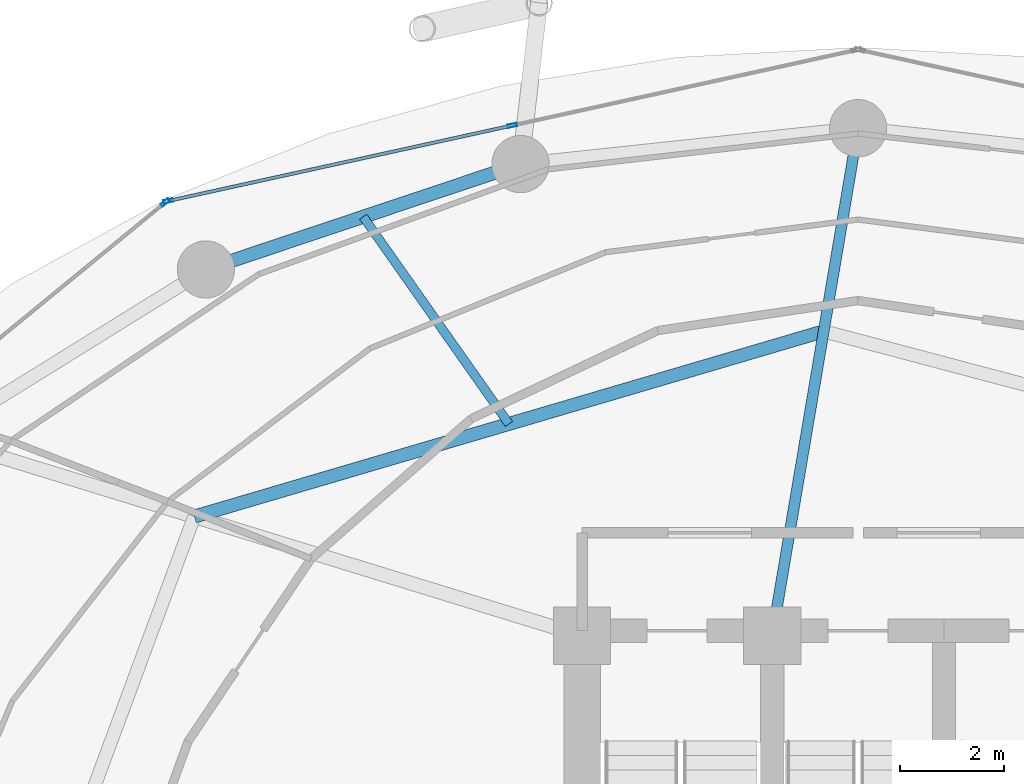
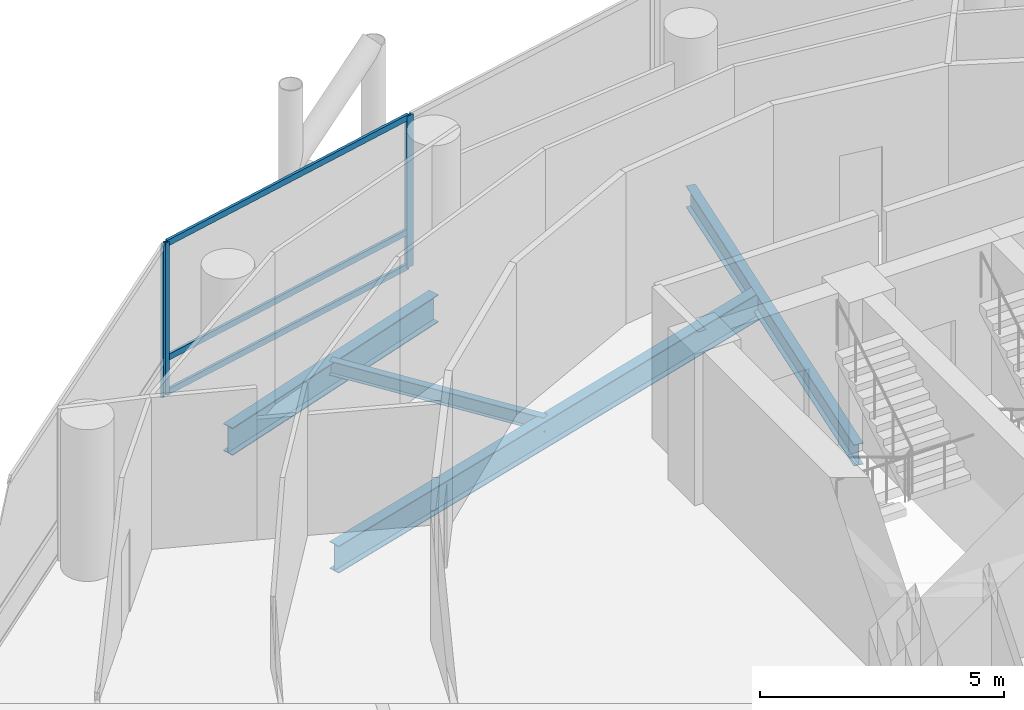
# One storey, part 15 of 26: 6 members, 4 beams, 2 elements without a shape of their own.
"""IFC4 building model written with IfcOpenShell, lengths in metres."""

from ifc_helpers import new_model, si_unit, direction, frame, origin, origin_2d, place, context, subcontext, project, spatial, hollow_rectangle, i_section, extrude, material, layer, layer_set, material_profile, profile_set, type_object, element, aggregate, save


model = new_model("IFC4")

# Units and contexts
model_context = context("Model", 3, precision=1e-05, world=origin(), true_north=direction((0.0, 1.0)))
body_context = subcontext(model_context, "Body", "Model", "MODEL_VIEW")
ifc_project = project(units=[si_unit("LENGTHUNIT", "METRE"), si_unit("AREAUNIT", "SQUARE_METRE"), si_unit("VOLUMEUNIT", "CUBIC_METRE"), si_unit("PLANEANGLEUNIT", "RADIAN"), si_unit("MASSUNIT", "GRAM", prefix="KILO")], contexts=[model_context])

# Site, building, storey
site_placement = place(None, origin())
site = spatial("IfcSite", under=ifc_project, at=site_placement, CompositionType="ELEMENT")
building_placement = place(site_placement, origin())
building = spatial("IfcBuilding", under=site, at=building_placement, Name="Nuhasar Tower", CompositionType="ELEMENT")
storey_placement = place(building_placement, frame((0.0, 0.0, 97.949951171875)))
storey = spatial("IfcBuildingStorey", under=building, at=storey_placement, Name="L23", CompositionType="ELEMENT", Elevation=97.949951171875)

# Beams
ifc_material_1 = material(Name="Steel S355", Category="steel")
ifc_material_profile_1 = material_profile(ifc_material_1, i_section(OverallWidth=0.25390625, OverallDepth=0.68408203125, WebThickness=0.012451171875, FlangeThickness=0.018798828125, at=origin_2d()), Name="W27X94")
ifc_profile_set_1 = profile_set([ifc_material_profile_1], Name="Steel S355")
beam_type_1 = type_object("IfcBeamType", Name="BM-INRING-W27X94", PredefinedType="BEAM", material=ifc_profile_set_1)
beam_1_placement = place(storey_placement, frame((38.340087890625, 43.14990234375, -0.592041015625), z_axis=(-0.959290190666, -0.28242225495, 0.0), x_axis=(0.28242225495, -0.959290190666, 0.0)))
element("IfcBeam", 1, at=beam_1_placement, inside=storey, type_object=beam_type_1, Name="L23 Inner Header Beam 06", PredefinedType="BEAM", context=body_context, shape_type="SweptSolid", body=[
    extrude(i_section(OverallWidth=0.25390625, OverallDepth=0.68408203125, WebThickness=0.012451171875, FlangeThickness=0.018798828125, at=origin_2d()), origin(), (0.0, 0.0, 1.0), 12.60107421875),
])
ifc_material_profile_2 = material_profile(ifc_material_1, i_section(OverallWidth=0.1708984375, OverallDepth=0.35205078125, WebThickness=0.0068359375, FlangeThickness=0.009765625, at=origin_2d()), Name="W14X30")
ifc_profile_set_2 = profile_set([ifc_material_profile_2], Name="Steel S355")
beam_type_2 = type_object("IfcBeamType", Name="BM-JST-W14X30", PredefinedType="JOIST", material=ifc_profile_set_2)
beam_2_placement = place(storey_placement, frame((32.2958984375, 41.3701171875, -0.426025390625), z_axis=(-0.575461088141, 0.817829160666, 0.0), x_axis=(-0.817829160666, -0.575461088141, 0.0)))
element("IfcBeam", 2, at=beam_2_placement, inside=storey, type_object=beam_type_2, Name="L23 Secondary Floor Joist 06", PredefinedType="JOIST", context=body_context, shape_type="SweptSolid", body=[
    extrude(i_section(OverallWidth=0.1708984375, OverallDepth=0.35205078125, WebThickness=0.0068359375, FlangeThickness=0.009765625, at=origin_2d()), origin(), (0.0, 0.0, 1.0), 4.865234375),
])
ifc_material_profile_3 = material_profile(ifc_material_1, i_section(OverallWidth=0.208984375, OverallDepth=0.532958984375, WebThickness=0.01025390625, FlangeThickness=0.015625, at=origin_2d()), Name="W21X62")
ifc_profile_set_3 = profile_set([ifc_material_profile_3], Name="Steel S355")
beam_type_3 = type_object("IfcBeamType", Name="BM-RAD-W21X62", PredefinedType="BEAM", material=ifc_profile_set_3)
beam_3_placement = place(storey_placement, frame((37.35009765625, 37.300048828125, -0.515869140625), z_axis=(0.166848703013, 0.98598251014, 0.0), x_axis=(-0.98598251014, 0.166848703013, 0.0)))
element("IfcBeam", 3, at=beam_3_placement, inside=storey, type_object=beam_type_3, Name="L23 Radial Floor Girder 06", PredefinedType="BEAM", context=body_context, shape_type="SweptSolid", body=[
    extrude(i_section(OverallWidth=0.208984375, OverallDepth=0.532958984375, WebThickness=0.01025390625, FlangeThickness=0.015625, at=origin_2d()), origin(), (0.0, 0.0, 1.0), 9.888671875),
])
ifc_material_profile_4 = material_profile(ifc_material_1, i_section(OverallWidth=0.256103515625, OverallDepth=0.693115234375, WebThickness=0.014404296875, FlangeThickness=0.023681640625, at=origin_2d()), Name="W27X114")
ifc_profile_set_4 = profile_set([ifc_material_profile_4], Name="Steel S355")
beam_type_4 = type_object("IfcBeamType", Name="BM-RING-W27X114", PredefinedType="SPANDREL", material=ifc_profile_set_4)
beam_4_placement = place(storey_placement, frame((32.51708984375, 46.360107421875, -0.596923828125), z_axis=(-0.948249435708, -0.317526388949, 0.0), x_axis=(0.317526388949, -0.948249435708, 0.0)))
element("IfcBeam", 4, at=beam_4_placement, inside=storey, type_object=beam_type_4, Name="L23 Perimeter Ring Spandrel 08", PredefinedType="SPANDREL", context=body_context, shape_type="SweptSolid", body=[
    extrude(i_section(OverallWidth=0.256103515625, OverallDepth=0.693115234375, WebThickness=0.014404296875, FlangeThickness=0.023681640625, at=origin_2d()), origin(), (0.0, 0.0, 1.0), 6.371826171875),
])

# Curtain wall, members
ifc_material_2 = material(Name="Aluminium 6063-T6", Category="aluminium")
ifc_layer = layer(ifc_material_2, 0.199951171875)
ifc_layer_set = layer_set([ifc_layer], Name="Aluminium 6063-T6")
curtain_wall_type = type_object("IfcCurtainWallType", Name="CW-Z1-OFF", PredefinedType="NOTDEFINED", material=ifc_layer_set)
curtain_wall_1_placement = place(storey_placement, origin())
curtain_wall_1 = element("IfcCurtainWall", 5, at=curtain_wall_1_placement, inside=storey, type_object=curtain_wall_type, Name="L23 Unitised Curtain Wall 04", PredefinedType="NOTDEFINED")
ifc_material_profile_5 = material_profile(ifc_material_2, hollow_rectangle(XDim=0.06494140625, YDim=0.179931640625, WallThickness=0.0048828125, at=origin_2d()), Name="CWM-2")
ifc_profile_set_5 = profile_set([ifc_material_profile_5], Name="Aluminium 6063-T6")
member_type_1 = type_object("IfcMemberType", Name="CW-MUL-S2", PredefinedType="MULLION", material=ifc_profile_set_5)
member_1_placement = place(storey_placement, frame((32.360107421875, 47.1025390625, 0.0), z_axis=(0.0, 0.0, 1.0), x_axis=(0.214398737637, -0.976746221544, 0.0)))
member_1 = element("IfcMember", 6, at=member_1_placement, type_object=member_type_1, Name="CW-Z1 mullion 2", PredefinedType="MULLION", context=body_context, shape_type="SweptSolid", body=[
    extrude(hollow_rectangle(XDim=0.06494140625, YDim=0.179931640625, WallThickness=0.0048828125, at=origin_2d()), origin(), (0.0, 0.0, 1.0), 3.800048828125),
])
member_2_placement = place(storey_placement, frame((25.751708984375, 45.65185546875, 0.0), z_axis=(0.0, 0.0, 1.0), x_axis=(0.214398737637, -0.976746221544, 0.0)))
member_2 = element("IfcMember", 7, at=member_2_placement, type_object=member_type_1, Name="CW-Z1 mullion 3", PredefinedType="MULLION", context=body_context, shape_type="SweptSolid", body=[
    extrude(hollow_rectangle(XDim=0.06494140625, YDim=0.179931640625, WallThickness=0.0048828125, at=origin_2d()), origin(), (0.0, 0.0, 1.0), 3.800048828125),
])

# Curtain wall, member
curtain_wall_2_placement = place(storey_placement, origin())
curtain_wall_2 = element("IfcCurtainWall", 8, at=curtain_wall_2_placement, inside=storey, type_object=curtain_wall_type, Name="L23 Unitised Curtain Wall 05", PredefinedType="NOTDEFINED")
member_3_placement = place(storey_placement, frame((25.69482421875, 45.62451171875, 0.0), z_axis=(0.0, 0.0, 1.0), x_axis=(0.633744593376, -0.773542364946, 0.0)))
member_3 = element("IfcMember", 9, at=member_3_placement, type_object=member_type_1, Name="CW-Z1 mullion 1", PredefinedType="MULLION", context=body_context, shape_type="SweptSolid", body=[
    extrude(hollow_rectangle(XDim=0.06494140625, YDim=0.179931640625, WallThickness=0.0048828125, at=origin_2d()), origin(), (0.0, 0.0, 1.0), 3.800048828125),
])
aggregate(curtain_wall_2, [member_3])

# Member
ifc_material_profile_6 = material_profile(ifc_material_2, hollow_rectangle(XDim=0.06494140625, YDim=0.14990234375, WallThickness=0.00439453125, at=origin_2d()), Name="CWT-2")
ifc_profile_set_6 = profile_set([ifc_material_profile_6], Name="Aluminium 6063-T6")
member_type_2 = type_object("IfcMemberType", Name="CW-TRN-S2", PredefinedType="USERDEFINED", material=ifc_profile_set_6)
member_4_placement = place(storey_placement, frame((32.328369140625, 47.095458984375, 0.032470703125), z_axis=(-0.976749553792, -0.214383556196, 0.0), x_axis=(0.214383556196, -0.976749553792, 0.0)))
member_4 = element("IfcMember", 10, at=member_4_placement, type_object=member_type_2, Name="CW-Z1 transom 2.1", ObjectType="TRANSOM", PredefinedType="USERDEFINED", context=body_context, shape_type="SweptSolid", body=[
    extrude(hollow_rectangle(XDim=0.06494140625, YDim=0.14990234375, WallThickness=0.00439453125, at=origin_2d()), origin(), (0.0, 0.0, 1.0), 6.70068359375),
])

member_5_placement = place(storey_placement, frame((32.328369140625, 47.095458984375, 0.900146484375), z_axis=(-0.976749553792, -0.214383556196, 0.0), x_axis=(0.214383556196, -0.976749553792, 0.0)))
member_5 = element("IfcMember", 11, at=member_5_placement, type_object=member_type_2, Name="CW-Z1 transom 2.2", ObjectType="TRANSOM", PredefinedType="USERDEFINED", context=body_context, shape_type="SweptSolid", body=[
    extrude(hollow_rectangle(XDim=0.06494140625, YDim=0.14990234375, WallThickness=0.00439453125, at=origin_2d()), origin(), (0.0, 0.0, 1.0), 6.70068359375),
])

member_6_placement = place(storey_placement, frame((32.328369140625, 47.095458984375, 3.767578125), z_axis=(-0.976749553792, -0.214383556196, 0.0), x_axis=(0.214383556196, -0.976749553792, 0.0)))
member_6 = element("IfcMember", 12, at=member_6_placement, type_object=member_type_2, Name="CW-Z1 transom 2.3", ObjectType="TRANSOM", PredefinedType="USERDEFINED", context=body_context, shape_type="SweptSolid", body=[
    extrude(hollow_rectangle(XDim=0.06494140625, YDim=0.14990234375, WallThickness=0.00439453125, at=origin_2d()), origin(), (0.0, 0.0, 1.0), 6.70068359375),
])

aggregate(curtain_wall_1, [member_1, member_2, member_4, member_5, member_6])

save(model, "model.ifc")
